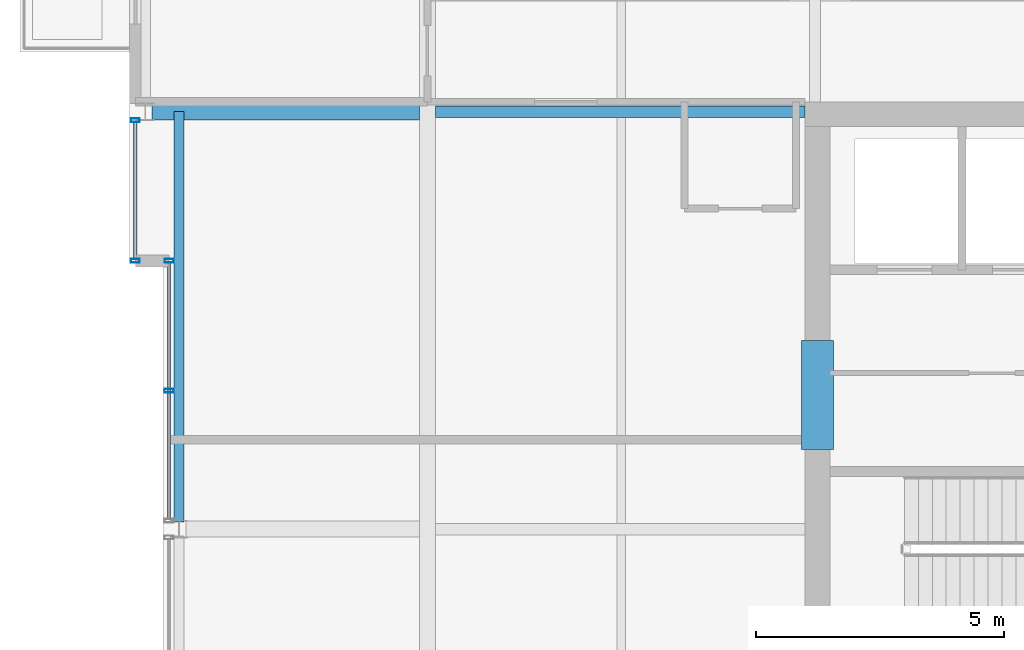
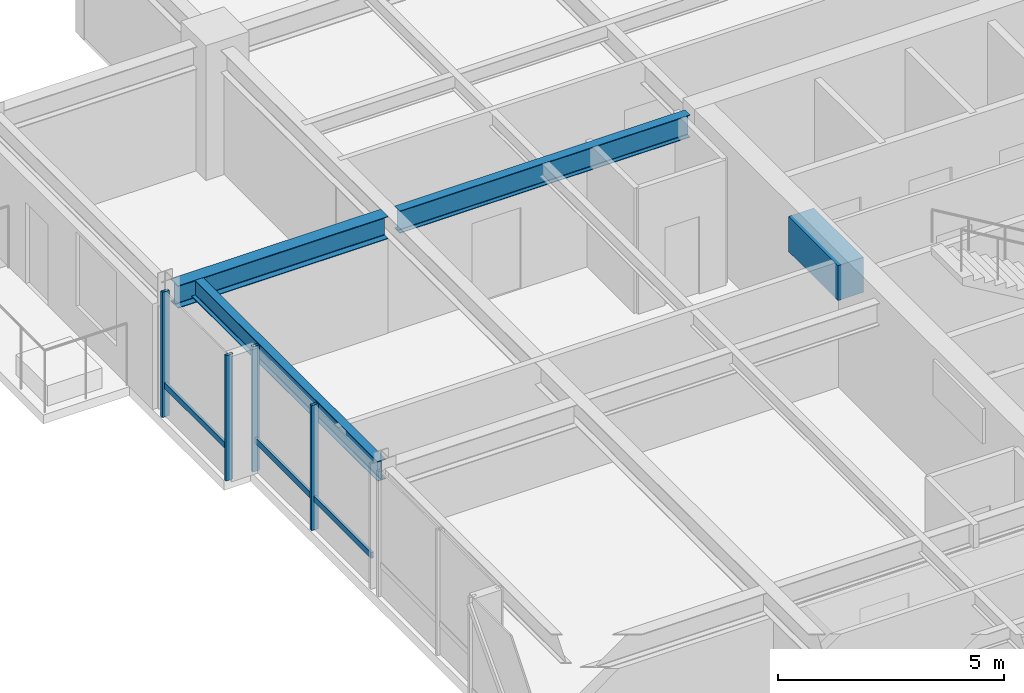
# One storey, part 13 of 33: 6 members, 4 beams, 2 elements without a shape of their own.
"""IFC4 building model written with IfcOpenShell, lengths in metres."""

from ifc_helpers import new_model, si_unit, direction, frame, origin, origin_2d, place, context, subcontext, project, spatial, rectangle, hollow_rectangle, i_section, extrude, material, layer, layer_set, material_profile, profile_set, type_object, element, aggregate, save


model = new_model("IFC4")

# Units and contexts
model_context = context("Model", 3, precision=1e-05, world=origin(), true_north=direction((0.0, 1.0)))
body_context = subcontext(model_context, "Body", "Model", "MODEL_VIEW")
ifc_project = project(units=[si_unit("LENGTHUNIT", "METRE"), si_unit("AREAUNIT", "SQUARE_METRE"), si_unit("VOLUMEUNIT", "CUBIC_METRE"), si_unit("PLANEANGLEUNIT", "RADIAN"), si_unit("MASSUNIT", "GRAM", prefix="KILO")], contexts=[model_context])

# Site, building, storey
site_placement = place(None, origin())
site = spatial("IfcSite", under=ifc_project, at=site_placement, CompositionType="ELEMENT")
building_placement = place(site_placement, origin())
building = spatial("IfcBuilding", under=site, at=building_placement, Name="Drelvath Grand Hotel", CompositionType="ELEMENT")
storey_placement = place(building_placement, frame((0.0, 0.0, 275.949951171875)))
storey = spatial("IfcBuildingStorey", under=building, at=storey_placement, Name="L72", CompositionType="ELEMENT", Elevation=275.949951171875)

# Beam
ifc_material_1 = material(Name="Concrete f'c 55 MPa", Category="concrete")
ifc_material_profile_1 = material_profile(ifc_material_1, rectangle(XDim=0.64990234375, YDim=0.949951171875, at=origin_2d()), Name="CB650X950")
ifc_profile_set_1 = profile_set([ifc_material_profile_1], Name="Concrete f'c 55 MPa")
beam_type_1 = type_object("IfcBeamType", Name="Core Coupling Lintel CB650X950", PredefinedType="LINTEL", material=ifc_profile_set_1)
beam_1_placement = place(storey_placement, frame((-8.35009765625, 28.60009765625, 2.9150390625), z_axis=(0.0, 1.0, 0.0), x_axis=(-1.0, 0.0, 0.0)))
element("IfcBeam", 1, at=beam_1_placement, inside=storey, type_object=beam_type_1, Name="L72 Core Coupling Lintel WN", PredefinedType="LINTEL", context=body_context, shape_type="SweptSolid", body=[
    extrude(rectangle(XDim=0.64990234375, YDim=0.949951171875, at=origin_2d()), origin(), (0.0, 0.0, 1.0), 2.199951171875),
])

# Curtain wall, member
ifc_material_2 = material(Name="Platinum-Mist Anodised Aluminium Frame", Category="aluminium")
ifc_layer = layer(ifc_material_2, 0.199951171875)
ifc_layer_set = layer_set([ifc_layer], Name="Platinum-Mist Anodised Aluminium Frame")
curtain_wall_type = type_object("IfcCurtainWallType", Name="Stick Curtain Wall CW-05 Platinum Mist High-Rise", PredefinedType="NOTDEFINED", material=ifc_layer_set)
curtain_wall_1_placement = place(storey_placement, origin())
curtain_wall_1 = element("IfcCurtainWall", 2, at=curtain_wall_1_placement, inside=storey, type_object=curtain_wall_type, Name="L72 CW-05 Curtain Wall CW05-L72-WM2", PredefinedType="NOTDEFINED")
ifc_material_profile_2 = material_profile(ifc_material_2, hollow_rectangle(XDim=0.06494140625, YDim=0.159912109375, WallThickness=0.00390625, at=origin_2d()), Name="HSS160X65X4")
ifc_profile_set_2 = profile_set([ifc_material_profile_2], Name="Platinum-Mist Anodised Aluminium Frame")
member_type_1 = type_object("IfcMemberType", Name="Curtain Wall Horizontal Transom CW-05 HSS160X65X4", PredefinedType="USERDEFINED", material=ifc_profile_set_2)
member_1_placement = place(storey_placement, frame((-21.39990234375, 27.2099609375, 0.84765625), z_axis=(0.0, 1.0, 0.0), x_axis=(-1.0, 0.0, 0.0)))
member_1 = element("IfcMember", 3, at=member_1_placement, type_object=member_type_1, Name="CW05-L72-WM2 Sill Transom", ObjectType="TRANSOM", PredefinedType="USERDEFINED", context=body_context, shape_type="SweptSolid", body=[
    extrude(hollow_rectangle(XDim=0.06494140625, YDim=0.159912109375, WallThickness=0.00390625, at=origin_2d()), origin(), (0.0, 0.0, 1.0), 5.150146484375),
])

curtain_wall_2_placement = place(storey_placement, origin())
curtain_wall_2 = element("IfcCurtainWall", 4, at=curtain_wall_2_placement, inside=storey, type_object=curtain_wall_type, Name="L72 CW-05 Curtain Wall CW05-L72-WN1", PredefinedType="NOTDEFINED")
member_2_placement = place(storey_placement, frame((-22.080078125, 32.43994140625, 0.84765625), z_axis=(0.0, 1.0, 0.0), x_axis=(-1.0, 0.0, 0.0)))
member_2 = element("IfcMember", 5, at=member_2_placement, type_object=member_type_1, Name="CW05-L72-WN1 Sill Transom", ObjectType="TRANSOM", PredefinedType="USERDEFINED", context=body_context, shape_type="SweptSolid", body=[
    extrude(hollow_rectangle(XDim=0.06494140625, YDim=0.159912109375, WallThickness=0.00390625, at=origin_2d()), origin(), (0.0, 0.0, 1.0), 2.75),
])

# Member
ifc_material_profile_3 = material_profile(ifc_material_2, hollow_rectangle(XDim=0.074951171875, YDim=0.179931640625, WallThickness=0.0048828125, at=origin_2d()), Name="HSS180X75X5")
ifc_profile_set_3 = profile_set([ifc_material_profile_3], Name="Platinum-Mist Anodised Aluminium Frame")
member_type_2 = type_object("IfcMemberType", Name="Curtain Wall Vertical Mullion CW-05 HSS180X75X5", PredefinedType="MULLION", material=ifc_profile_set_3)
member_3_placement = place(storey_placement, frame((-21.39990234375, 29.784912109375, 0.0), z_axis=(0.0, 0.0, 1.0), x_axis=(0.0, 1.0, 0.0)))
member_3 = element("IfcMember", 6, at=member_3_placement, type_object=member_type_2, Name="CW05-L72-WM2 Mullion 2", PredefinedType="MULLION", context=body_context, shape_type="SweptSolid", body=[
    extrude(hollow_rectangle(XDim=0.074951171875, YDim=0.179931640625, WallThickness=0.0048828125, at=origin_2d()), origin(), (0.0, 0.0, 1.0), 3.39013671875),
])

member_4_placement = place(storey_placement, frame((-21.39990234375, 32.39990234375, 0.0), z_axis=(0.0, 0.0, 1.0), x_axis=(0.0, 1.0, 0.0)))
member_4 = element("IfcMember", 7, at=member_4_placement, type_object=member_type_2, Name="CW05-L72-WM2 Mullion 3", PredefinedType="MULLION", context=body_context, shape_type="SweptSolid", body=[
    extrude(hollow_rectangle(XDim=0.074951171875, YDim=0.179931640625, WallThickness=0.0048828125, at=origin_2d()), origin(), (0.0, 0.0, 1.0), 3.39013671875),
])

aggregate(curtain_wall_1, [member_3, member_4, member_1])

member_5_placement = place(storey_placement, frame((-22.080078125, 32.39990234375, 0.0), z_axis=(0.0, 0.0, 1.0), x_axis=(0.0, 1.0, 0.0)))
member_5 = element("IfcMember", 8, at=member_5_placement, type_object=member_type_2, Name="CW05-L72-WN1 Mullion 1", PredefinedType="MULLION", context=body_context, shape_type="SweptSolid", body=[
    extrude(hollow_rectangle(XDim=0.074951171875, YDim=0.179931640625, WallThickness=0.0048828125, at=origin_2d()), origin(), (0.0, 0.0, 1.0), 3.39013671875),
])

member_6_placement = place(storey_placement, frame((-22.080078125, 35.22998046875, 0.0), z_axis=(0.0, 0.0, 1.0), x_axis=(0.0, 1.0, 0.0)))
member_6 = element("IfcMember", 9, at=member_6_placement, type_object=member_type_2, Name="CW05-L72-WN1 Mullion 2", PredefinedType="MULLION", context=body_context, shape_type="SweptSolid", body=[
    extrude(hollow_rectangle(XDim=0.074951171875, YDim=0.179931640625, WallThickness=0.0048828125, at=origin_2d()), origin(), (0.0, 0.0, 1.0), 3.39013671875),
])

aggregate(curtain_wall_2, [member_5, member_6, member_2])

# Beams
ifc_material_3 = material(Name="Steel ASTM A992 Gr 50", Category="steel")
ifc_material_profile_4 = material_profile(ifc_material_3, i_section(OverallWidth=0.210205078125, OverallDepth=0.53662109375, WebThickness=0.010986328125, FlangeThickness=0.017333984375, FilletRadius=0.01806640625, at=origin_2d()), Name="W21X68")
ifc_profile_set_4 = profile_set([ifc_material_profile_4], Name="Steel ASTM A992 Gr 50")
beam_type_2 = type_object("IfcBeamType", Name="Perimeter Spandrel Beam W21X68", PredefinedType="SPANDREL", material=ifc_profile_set_4)
beam_2_placement = place(storey_placement, frame((-21.199951171875, 27.139892578125, 3.12158203125), z_axis=(0.0, 1.0, 0.0), x_axis=(-1.0, 0.0, 0.0)))
element("IfcBeam", 10, at=beam_2_placement, inside=storey, type_object=beam_type_2, Name="L72 Spandrel West Mid N", PredefinedType="SPANDREL", context=body_context, shape_type="SweptSolid", body=[
    extrude(i_section(OverallWidth=0.210205078125, OverallDepth=0.53662109375, WebThickness=0.010986328125, FlangeThickness=0.017333984375, FilletRadius=0.01806640625, at=origin_2d()), origin(), (0.0, 0.0, 1.0), 8.260009765625),
])
ifc_material_profile_5 = material_profile(ifc_material_3, i_section(OverallWidth=0.323974609375, OverallDepth=0.611083984375, WebThickness=0.0126953125, FlangeThickness=0.01904296875, FilletRadius=0.02197265625, at=origin_2d()), Name="W24X104")
ifc_profile_set_5 = profile_set([ifc_material_profile_5], Name="Steel ASTM A992 Gr 50")
beam_type_3 = type_object("IfcBeamType", Name="Primary Floor Girder W24X104", PredefinedType="BEAM", material=ifc_profile_set_5)
beam_3_placement = place(storey_placement, frame((-21.739990234375, 35.39990234375, 3.08447265625), z_axis=(1.0, 0.0, 0.0), x_axis=(0.0, 1.0, 0.0)))
element("IfcBeam", 11, at=beam_3_placement, inside=storey, type_object=beam_type_3, Name="L72 West Wing Girder F", PredefinedType="BEAM", context=body_context, shape_type="SweptSolid", body=[
    extrude(i_section(OverallWidth=0.323974609375, OverallDepth=0.611083984375, WebThickness=0.0126953125, FlangeThickness=0.01904296875, FilletRadius=0.02197265625, at=origin_2d()), origin(), (0.0, 0.0, 1.0), 5.3779296875),
])
ifc_material_profile_6 = material_profile(ifc_material_3, i_section(OverallWidth=0.228271484375, OverallDepth=0.607666015625, WebThickness=0.01123046875, FlangeThickness=0.017333984375, FilletRadius=0.02001953125, at=origin_2d()), Name="W24X76")
ifc_profile_set_6 = profile_set([ifc_material_profile_6], Name="Steel ASTM A992 Gr 50")
beam_type_4 = type_object("IfcBeamType", Name="Primary Floor Girder W24X76", PredefinedType="BEAM", material=ifc_profile_set_6)
beam_4_placement = place(storey_placement, frame((-16.0380859375, 35.39990234375, 3.086181640625), z_axis=(1.0, 0.0, 0.0), x_axis=(0.0, 1.0, 0.0)))
element("IfcBeam", 12, at=beam_4_placement, inside=storey, type_object=beam_type_4, Name="L72 West Core Tie F", PredefinedType="BEAM", context=body_context, shape_type="SweptSolid", body=[
    extrude(i_section(OverallWidth=0.228271484375, OverallDepth=0.607666015625, WebThickness=0.01123046875, FlangeThickness=0.017333984375, FilletRadius=0.02001953125, at=origin_2d()), origin(), (0.0, 0.0, 1.0), 7.43798828125),
])

save(model, "model.ifc")
